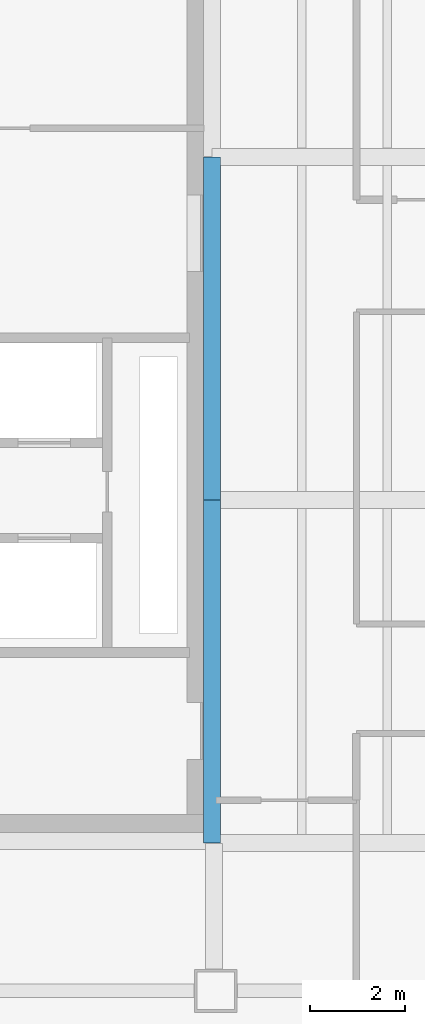
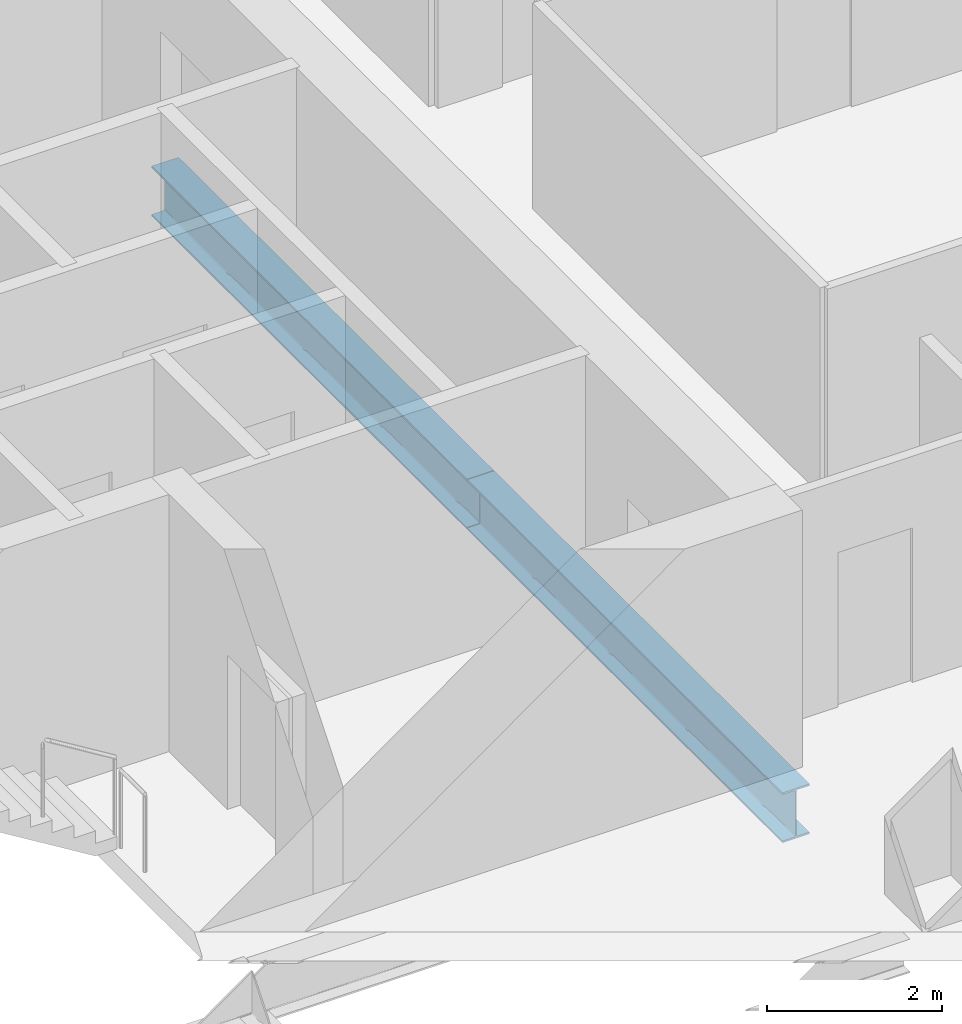
# One storey, part 3 of 23: 2 beams.
"""IFC4 building model written with IfcOpenShell, lengths in metres."""

from ifc_helpers import new_model, si_unit, direction, frame, origin, origin_2d, place, context, subcontext, project, spatial, i_section, extrude, material, material_profile, profile_set, type_object, element, save


model = new_model("IFC4")

# Units and contexts
model_context = context("Model", 3, precision=1e-05, world=origin(), true_north=direction((0.0, 1.0)))
body_context = subcontext(model_context, "Body", "Model", "MODEL_VIEW")
ifc_project = project(units=[si_unit("LENGTHUNIT", "METRE"), si_unit("AREAUNIT", "SQUARE_METRE"), si_unit("VOLUMEUNIT", "CUBIC_METRE"), si_unit("PLANEANGLEUNIT", "RADIAN"), si_unit("MASSUNIT", "GRAM", prefix="KILO")], contexts=[model_context])

# Site, building, storey
site_placement = place(None, origin())
site = spatial("IfcSite", under=ifc_project, at=site_placement, CompositionType="ELEMENT")
building_placement = place(site_placement, origin())
building = spatial("IfcBuilding", under=site, at=building_placement, Name="Cobrela Telecom Tower", CompositionType="ELEMENT")
storey_placement = place(building_placement, frame((0.0, 0.0, 144.550048828125)))
storey = spatial("IfcBuildingStorey", under=building, at=storey_placement, Name="L36", CompositionType="ELEMENT", Elevation=144.550048828125)

# Beams
ifc_material = material(Name="Steel ASTM A992 Grade 50", Category="steel")
ifc_material_profile = material_profile(ifc_material, i_section(OverallWidth=0.35595703125, OverallDepth=0.696044921875, WebThickness=0.015380859375, FlangeThickness=0.024658203125, FilletRadius=0.01806640625, at=origin_2d()), Name="W27X146")
ifc_profile_set = profile_set([ifc_material_profile], Name="Steel ASTM A992 Grade 50")
beam_type = type_object("IfcBeamType", Name="BM-GIRD-05", PredefinedType="USERDEFINED", material=ifc_profile_set)
for number, where, z_axis, x_axis, name in (
    (1, (14.320068359375, 7.205078125, -0.6181640625), (0.0, 1.0, 0.0), (-1.0, 0.0, 0.0), "L36 Primary Girder Y34"),
    (2, (14.320068359375, 14.405029296875, -0.6181640625), (0.0, 1.0, 0.0), (-1.0, 0.0, 0.0), "L36 Primary Girder Y35"),
):
    element("IfcBeam", number, at=place(storey_placement, frame(where, z_axis=z_axis, x_axis=x_axis)), inside=storey, type_object=beam_type, Name=name, ObjectType="GIRDER", PredefinedType="USERDEFINED", context=body_context, shape_type="SweptSolid", body=[
        extrude(i_section(OverallWidth=0.35595703125, OverallDepth=0.696044921875, WebThickness=0.015380859375, FlangeThickness=0.024658203125, FilletRadius=0.01806640625, at=origin_2d()), origin(), (0.0, 0.0, 1.0), 7.18994140625),
    ])

save(model, "model.ifc")
